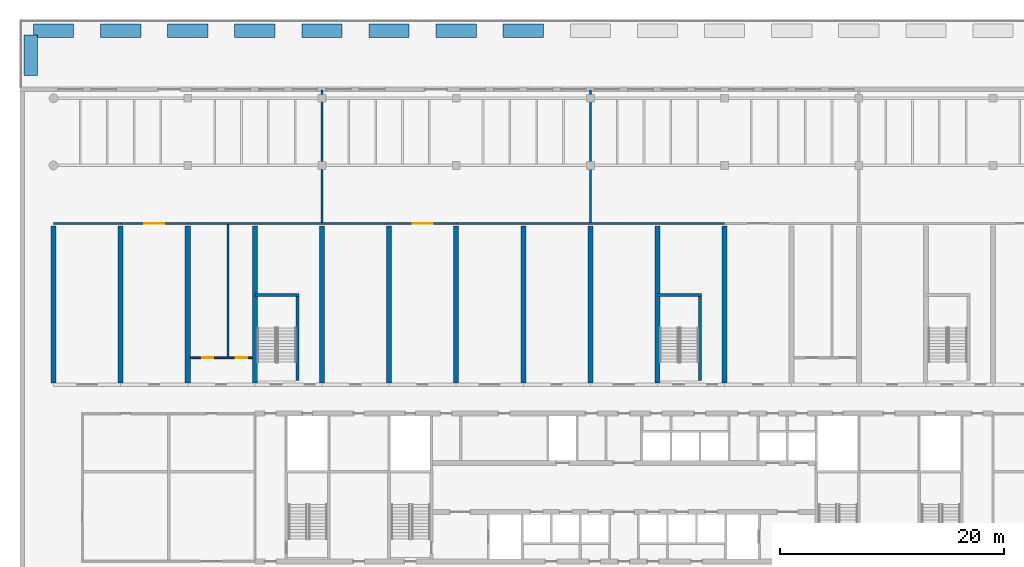
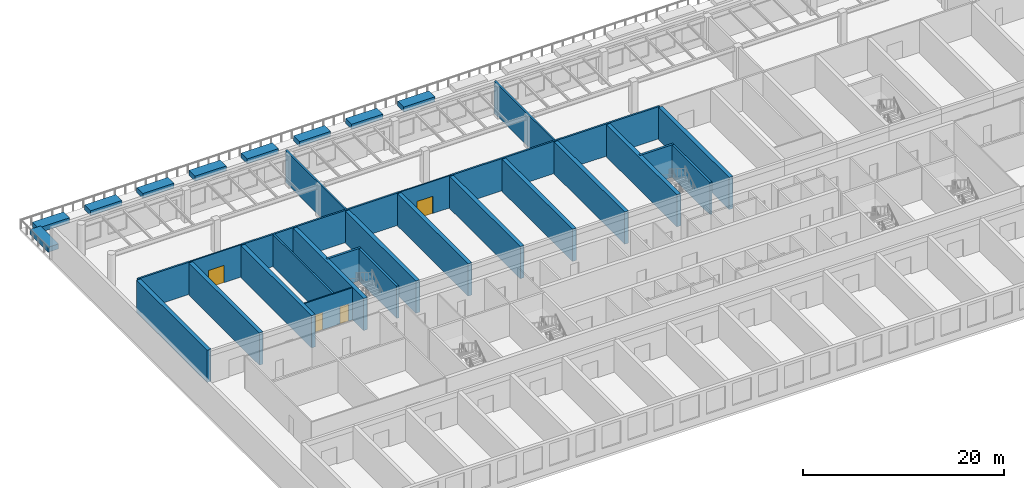
# One storey, part 8 of 16: 33 walls, 4 doors, 4 openings.
"""IFC4 building model written with IfcOpenShell, lengths in metres."""

from ifc_helpers import new_model, si_unit, direction, frame, frame_2d, origin, place, context, subcontext, project, spatial, polyline, rectangle, outline, extrude, source, transform, mapped, material, layer, layer_set, type_object, element, fill, save


model = new_model("IFC4")

# Units and contexts
model_context = context("Model", 3, precision=1e-05, world=origin(), true_north=direction((0.0, 1.0)))
body_context = subcontext(model_context, "Body", "Model", "MODEL_VIEW")
ifc_project = project(units=[si_unit("LENGTHUNIT", "METRE"), si_unit("AREAUNIT", "SQUARE_METRE"), si_unit("VOLUMEUNIT", "CUBIC_METRE"), si_unit("PLANEANGLEUNIT", "RADIAN"), si_unit("MASSUNIT", "GRAM", prefix="KILO")], contexts=[model_context])

# Site, building, storey
site_placement = place(None, origin())
site = spatial("IfcSite", under=ifc_project, at=site_placement, CompositionType="ELEMENT")
building_placement = place(site_placement, origin())
building = spatial("IfcBuilding", under=site, at=building_placement, Name="Poui Terraces", CompositionType="ELEMENT")
storey_placement = place(building_placement, frame((0.0, 0.0, 15.0)))
storey = spatial("IfcBuildingStorey", under=building, at=storey_placement, Name="L03", CompositionType="ELEMENT", Elevation=15.0)

# Walls
ifc_material_1 = material(Name="Fire-rated masonry wall", Category="masonry")
ifc_layer_1 = layer(ifc_material_1, 0.199951171875)
ifc_layer_set_1 = layer_set([ifc_layer_1], Name="Fire-rated masonry wall")
wall_type_1 = type_object("IfcWallType", Name="COMPARTMENT WALL 200", PredefinedType="PARTITIONING", material=ifc_layer_set_1)
wall_1_placement = place(storey_placement, frame((0.0, 44.800048828125, 0.0), z_axis=(0.0, 0.0, 1.0), x_axis=(1.0, 0.0, 0.0)))
element("IfcWall", 1, at=wall_1_placement, inside=storey, type_object=wall_type_1, Name="COMPARTMENT WALL 200", PredefinedType="PARTITIONING", context=body_context, shape_type="SweptSolid", body=[
    extrude(rectangle(XDim=6.0, YDim=0.199951171875, at=frame_2d((3.0, 0.0))), origin(), (0.0, 0.0, 1.0), 3.919921875),
])
wall_2_placement = place(storey_placement, frame((12.0, 44.800048828125, 0.0), z_axis=(0.0, 0.0, 1.0), x_axis=(1.0, 0.0, 0.0)))
element("IfcWall", 2, at=wall_2_placement, inside=storey, type_object=wall_type_1, Name="COMPARTMENT WALL 200", PredefinedType="PARTITIONING", context=body_context, shape_type="SweptSolid", body=[
    extrude(rectangle(XDim=18.0, YDim=0.199951171875, at=frame_2d((9.0, 0.0))), origin(), (0.0, 0.0, 1.0), 3.919921875),
])
wall_3_placement = place(storey_placement, frame((36.0, 44.800048828125, 0.0), z_axis=(0.0, 0.0, 1.0), x_axis=(1.0, 0.0, 0.0)))
element("IfcWall", 3, at=wall_3_placement, inside=storey, type_object=wall_type_1, Name="COMPARTMENT WALL 200", PredefinedType="PARTITIONING", context=body_context, shape_type="SweptSolid", body=[
    extrude(rectangle(XDim=24.0, YDim=0.199951171875, at=frame_2d((12.0, 0.0))), origin(), (0.0, 0.0, 1.0), 3.919921875),
])
wall_4_placement = place(storey_placement, frame((15.60009765625, 32.875, 0.0), z_axis=(0.0, 0.0, 1.0), x_axis=(0.0, 1.0, 0.0)))
element("IfcWall", 4, at=wall_4_placement, inside=storey, type_object=wall_type_1, Name="COMPARTMENT WALL 200", PredefinedType="PARTITIONING", context=body_context, shape_type="SweptSolid", body=[
    extrude(rectangle(XDim=11.824951171875, YDim=0.199951171875, at=frame_2d((5.91259765625, 0.0))), origin(), (0.0, 0.0, 1.0), 3.919921875),
])
for number, where, z_axis, x_axis, name in (
    (5, (24.0, 44.89990234375, 0.0), (0.0, 0.0, 1.0), (0.0, 1.0, 0.0), "COMPARTMENT WALL 200"),
    (6, (48.0, 44.89990234375, 0.0), (0.0, 0.0, 1.0), (0.0, 1.0, 0.0), "COMPARTMENT WALL 200"),
):
    element("IfcWall", number, at=place(storey_placement, frame(where, z_axis=z_axis, x_axis=x_axis)), inside=storey, type_object=wall_type_1, Name=name, PredefinedType="PARTITIONING", context=body_context, shape_type="SweptSolid", body=[
        extrude(rectangle(XDim=11.840087890625, YDim=0.199951171875, at=frame_2d((5.919921875, 0.0))), origin(), (0.0, 0.0, 1.0), 3.919921875),
    ])

# Wall, openings, doors
ifc_material_2 = material(Name="Fire-rated plasterboard wall")
ifc_layer_2 = layer(ifc_material_2, 0.14990234375)
ifc_layer_set_2 = layer_set([ifc_layer_2], Name="Fire-rated plasterboard wall")
wall_type_2 = type_object("IfcWallType", Name="CORRIDOR WALL 150", PredefinedType="PARTITIONING", material=ifc_layer_set_2)
wall_5_placement = place(storey_placement, frame((12.235107421875, 32.800048828125, 0.0), z_axis=(0.0, 0.0, 1.0), x_axis=(1.0, 0.0, 0.0)))
wall_5 = element("IfcWall", 7, at=wall_5_placement, inside=storey, type_object=wall_type_2, Name="CORRIDOR WALL 150", PredefinedType="PARTITIONING", context=body_context, shape_type="SweptSolid", body=[
    extrude(rectangle(XDim=5.52978515625, YDim=0.14990234375, at=frame_2d((2.764892578125, 0.0))), origin(), (0.0, 0.0, 1.0), 3.919921875),
])
opening_1_placement = place(wall_5_placement, frame((1.06494140625, 0.0, 0.0)))
opening_1 = element("IfcOpeningElement", 8, at=opening_1_placement, cuts=wall_5, Name="Opening D100", PredefinedType="OPENING", context=body_context, shape_type="SweptSolid", body=[
    extrude(rectangle(XDim=1.0, YDim=2.10009765625, at=frame_2d((0.5, 1.050048828125))), frame((0.0, 0.0849609375, 0.0), z_axis=(0.0, -1.0, 0.0), x_axis=(1.0, 0.0, 0.0)), (0.0, 0.0, 1.0), 0.169921875),
])
opening_2_placement = place(wall_5_placement, frame((4.06494140625, 0.0, 0.0)))
opening_2 = element("IfcOpeningElement", 9, at=opening_2_placement, cuts=wall_5, Name="Opening D100", PredefinedType="OPENING", context=body_context, shape_type="SweptSolid", body=[
    extrude(rectangle(XDim=1.0, YDim=2.10009765625, at=frame_2d((0.5, 1.050048828125))), frame((0.0, 0.0849609375, 0.0), z_axis=(0.0, -1.0, 0.0), x_axis=(1.0, 0.0, 0.0)), (0.0, 0.0, 1.0), 0.169921875),
])
ifc_material_3 = material(Name="Solid core timber door", Category="wood")
door_type_1 = type_object("IfcDoorType", Name="ACCESSIBLE INTERNAL DOOR 1000 X 2100", OperationType="NOTDEFINED", PredefinedType="DOOR", material=ifc_material_3)
door_1_placement = place(opening_1_placement, frame((1.0, 0.0, 0.0), z_axis=(0.0, 0.0, 1.0), x_axis=(-1.0, 0.0, 0.0)))
door_1 = element("IfcDoor", 10, at=door_1_placement, inside=storey, type_object=door_type_1, Name="ACCESSIBLE INTERNAL DOOR 074", OperationType="SINGLE_SWING_RIGHT", OverallHeight=2.10009765625, OverallWidth=1.0, PredefinedType="DOOR", context=body_context, shape_type="SweptSolid", body=[
    extrude(rectangle(XDim=1.0, YDim=2.10009765625, at=frame_2d((0.5, 1.050048828125))), frame((0.0, 0.02490234375, 0.0), z_axis=(0.0, -1.0, 0.0), x_axis=(1.0, 0.0, 0.0)), (0.0, 0.0, 1.0), 0.050048828125),
])
fill(opening_1, door_1)
door_2_placement = place(opening_2_placement, frame((1.0, 0.0, 0.0), z_axis=(0.0, 0.0, 1.0), x_axis=(-1.0, 0.0, 0.0)))
door_2 = element("IfcDoor", 11, at=door_2_placement, inside=storey, type_object=door_type_1, Name="ACCESSIBLE INTERNAL DOOR 075", OperationType="SINGLE_SWING_LEFT", OverallHeight=2.10009765625, OverallWidth=1.0, PredefinedType="DOOR", context=body_context, shape_type="SweptSolid", body=[
    extrude(rectangle(XDim=1.0, YDim=2.10009765625, at=frame_2d((0.5, 1.050048828125))), frame((0.0, 0.02490234375, 0.0), z_axis=(0.0, -1.0, 0.0), x_axis=(1.0, 0.0, 0.0)), (0.0, 0.0, 1.0), 0.050048828125),
])
fill(opening_2, door_2)

# Wall, opening, door
wall_6_placement = place(storey_placement, frame((6.0, 44.800048828125, 0.0), z_axis=(0.0, 0.0, 1.0), x_axis=(1.0, 0.0, 0.0)))
wall_6 = element("IfcWall", 12, at=wall_6_placement, inside=storey, type_object=wall_type_2, Name="CORRIDOR WALL 150", PredefinedType="PARTITIONING", context=body_context, shape_type="SweptSolid", body=[
    extrude(rectangle(XDim=6.0, YDim=0.14990234375, at=frame_2d((3.0, 0.0))), origin(), (0.0, 0.0, 1.0), 3.919921875),
])
opening_3_placement = place(wall_6_placement, frame((2.10009765625, 0.0, 0.0)))
opening_3 = element("IfcOpeningElement", 13, at=opening_3_placement, cuts=wall_6, Name="Opening DD180", PredefinedType="OPENING", context=body_context, shape_type="SweptSolid", body=[
    extrude(rectangle(XDim=1.800048828125, YDim=2.10009765625, at=frame_2d((0.89990234375, 1.050048828125))), frame((0.0, 0.0849609375, 0.0), z_axis=(0.0, -1.0, 0.0), x_axis=(1.0, 0.0, 0.0)), (0.0, 0.0, 1.0), 0.169921875),
])
ifc_material_4 = material(Name="Steel fire door", Category="steel")
door_type_2 = type_object("IfcDoorType", Name="DOUBLE INTERNAL DOOR 1800 X 2100", OperationType="DOUBLE_DOOR_SINGLE_SWING", PredefinedType="DOOR", material=ifc_material_4)
door_3_placement = place(opening_3_placement, frame((1.800048828125, 0.0, 0.0), z_axis=(0.0, 0.0, 1.0), x_axis=(-1.0, 0.0, 0.0)))
door_3 = element("IfcDoor", 14, at=door_3_placement, inside=storey, type_object=door_type_2, Name="DOUBLE INTERNAL DOOR 078", OperationType="DOUBLE_DOOR_SINGLE_SWING", OverallHeight=2.10009765625, OverallWidth=1.800048828125, PredefinedType="DOOR", context=body_context, shape_type="SweptSolid", body=[
    extrude(rectangle(XDim=1.800048828125, YDim=2.10009765625, at=frame_2d((0.89990234375, 1.050048828125))), frame((0.0, 0.02490234375, 0.0), z_axis=(0.0, -1.0, 0.0), x_axis=(1.0, 0.0, 0.0)), (0.0, 0.0, 1.0), 0.050048828125),
])
fill(opening_3, door_3)

wall_7_placement = place(storey_placement, frame((30.0, 44.800048828125, 0.0), z_axis=(0.0, 0.0, 1.0), x_axis=(1.0, 0.0, 0.0)))
wall_7 = element("IfcWall", 15, at=wall_7_placement, inside=storey, type_object=wall_type_2, Name="CORRIDOR WALL 150", PredefinedType="PARTITIONING", context=body_context, shape_type="SweptSolid", body=[
    extrude(rectangle(XDim=6.0, YDim=0.14990234375, at=frame_2d((3.0, 0.0))), origin(), (0.0, 0.0, 1.0), 3.919921875),
])
opening_4_placement = place(wall_7_placement, frame((2.10009765625, 0.0, 0.0)))
opening_4 = element("IfcOpeningElement", 16, at=opening_4_placement, cuts=wall_7, Name="Opening DD180", PredefinedType="OPENING", context=body_context, shape_type="SweptSolid", body=[
    extrude(rectangle(XDim=1.800048828125, YDim=2.10009765625, at=frame_2d((0.89990234375, 1.050048828125))), frame((0.0, 0.0849609375, 0.0), z_axis=(0.0, -1.0, 0.0), x_axis=(1.0, 0.0, 0.0)), (0.0, 0.0, 1.0), 0.169921875),
])
door_4_placement = place(opening_4_placement, frame((1.800048828125, 0.0, 0.0), z_axis=(0.0, 0.0, 1.0), x_axis=(-1.0, 0.0, 0.0)))
door_4 = element("IfcDoor", 17, at=door_4_placement, inside=storey, type_object=door_type_2, Name="DOUBLE INTERNAL DOOR 079", OperationType="DOUBLE_DOOR_SINGLE_SWING", OverallHeight=2.10009765625, OverallWidth=1.800048828125, PredefinedType="DOOR", context=body_context, shape_type="SweptSolid", body=[
    extrude(rectangle(XDim=1.800048828125, YDim=2.10009765625, at=frame_2d((0.89990234375, 1.050048828125))), frame((0.0, 0.02490234375, 0.0), z_axis=(0.0, -1.0, 0.0), x_axis=(1.0, 0.0, 0.0)), (0.0, 0.0, 1.0), 0.050048828125),
])
fill(opening_4, door_4)

# Walls
ifc_material_5 = material(Name="Concrete 80 MPa", Category="concrete")
ifc_layer_3 = layer(ifc_material_5, 0.449951171875)
ifc_layer_set_3 = layer_set([ifc_layer_3], Name="Concrete 80 MPa")
wall_type_3 = type_object("IfcWallType", Name="CROSS WALL 450 80MPa", PredefinedType="SHEAR", material=ifc_layer_set_3)
for number, where, z_axis, x_axis, name in (
    (18, (0.0, 30.550048828125, 0.0), (0.0, 0.0, 1.0), (0.0, 1.0, 0.0), "CROSS WALL LINE 1 NORTH"),
    (19, (6.0, 30.550048828125, 0.0), (0.0, 0.0, 1.0), (0.0, 1.0, 0.0), "CROSS WALL LINE 2 NORTH"),
    (20, (12.0, 30.550048828125, 0.0), (0.0, 0.0, 1.0), (0.0, 1.0, 0.0), "CROSS WALL LINE 3 NORTH"),
    (21, (18.0, 30.550048828125, 0.0), (0.0, 0.0, 1.0), (0.0, 1.0, 0.0), "CROSS WALL LINE 4 NORTH"),
    (22, (24.0, 30.550048828125, 0.0), (0.0, 0.0, 1.0), (0.0, 1.0, 0.0), "CROSS WALL LINE 5 NORTH"),
    (23, (30.0, 30.550048828125, 0.0), (0.0, 0.0, 1.0), (0.0, 1.0, 0.0), "CROSS WALL LINE 6 NORTH"),
    (24, (36.0, 30.550048828125, 0.0), (0.0, 0.0, 1.0), (0.0, 1.0, 0.0), "CROSS WALL LINE 7 NORTH"),
    (25, (42.0, 30.550048828125, 0.0), (0.0, 0.0, 1.0), (0.0, 1.0, 0.0), "CROSS WALL LINE 8 NORTH"),
    (26, (48.0, 30.550048828125, 0.0), (0.0, 0.0, 1.0), (0.0, 1.0, 0.0), "CROSS WALL LINE 9 NORTH"),
    (27, (54.0, 30.550048828125, 0.0), (0.0, 0.0, 1.0), (0.0, 1.0, 0.0), "CROSS WALL LINE 10 NORTH"),
    (28, (60.0, 30.550048828125, 0.0), (0.0, 0.0, 1.0), (0.0, 1.0, 0.0), "CROSS WALL LINE 11 NORTH"),
):
    element("IfcWall", number, at=place(storey_placement, frame(where, z_axis=z_axis, x_axis=x_axis)), inside=storey, type_object=wall_type_3, Name=name, PredefinedType="SHEAR", context=body_context, shape_type="SweptSolid", body=[
        extrude(rectangle(XDim=14.050048828125, YDim=0.449951171875, at=frame_2d((7.02490234375, 0.0))), origin(), (0.0, 0.0, 1.0), 3.919921875),
    ])
ifc_layer_4 = layer(ifc_material_5, 0.25)
ifc_layer_set_4 = layer_set([ifc_layer_4], Name="Concrete 80 MPa")
wall_type_4 = type_object("IfcWallType", Name="STAIR CORE WALL 250 80 MPA", PredefinedType="SOLIDWALL", material=ifc_layer_set_4)
wall_8_placement = place(storey_placement, frame((21.800048828125, 30.75, 0.0), z_axis=(0.0, 0.0, 1.0), x_axis=(0.0, 1.0, 0.0)))
element("IfcWall", 29, at=wall_8_placement, inside=storey, type_object=wall_type_4, Name="STAIR CORE WALL", PredefinedType="SOLIDWALL", context=body_context, shape_type="SweptSolid", body=[
    extrude(rectangle(XDim=7.52490234375, YDim=0.25, at=frame_2d((3.762451171875, 0.0))), origin(), (0.0, 0.0, 1.0), 3.919921875),
])
wall_9_placement = place(storey_placement, frame((18.0, 38.39990234375, 0.0), z_axis=(0.0, 0.0, 1.0), x_axis=(1.0, 0.0, 0.0)))
element("IfcWall", 30, at=wall_9_placement, inside=storey, type_object=wall_type_4, Name="STAIR CORE WALL", PredefinedType="SOLIDWALL", context=body_context, shape_type="SweptSolid", body=[
    extrude(rectangle(XDim=3.925048828125, YDim=0.25, at=frame_2d((1.96240234375, 0.0))), origin(), (0.0, 0.0, 1.0), 3.919921875),
])
wall_10_placement = place(storey_placement, frame((57.800048828125, 30.75, 0.0), z_axis=(0.0, 0.0, 1.0), x_axis=(0.0, 1.0, 0.0)))
element("IfcWall", 31, at=wall_10_placement, inside=storey, type_object=wall_type_4, Name="STAIR CORE WALL", PredefinedType="SOLIDWALL", context=body_context, shape_type="SweptSolid", body=[
    extrude(rectangle(XDim=7.52490234375, YDim=0.25, at=frame_2d((3.762451171875, 0.0))), origin(), (0.0, 0.0, 1.0), 3.919921875),
])
wall_11_placement = place(storey_placement, frame((54.0, 38.39990234375, 0.0), z_axis=(0.0, 0.0, 1.0), x_axis=(1.0, 0.0, 0.0)))
element("IfcWall", 32, at=wall_11_placement, inside=storey, type_object=wall_type_4, Name="STAIR CORE WALL", PredefinedType="SOLIDWALL", context=body_context, shape_type="SweptSolid", body=[
    extrude(rectangle(XDim=3.925048828125, YDim=0.25, at=frame_2d((1.96240234375, 0.0))), origin(), (0.0, 0.0, 1.0), 3.919921875),
])
ifc_material_6 = material(Name="Precast concrete 40 MPa", Category="concrete")
ifc_layer_5 = layer(ifc_material_6, 1.199951171875)
ifc_layer_set_5 = layer_set([ifc_layer_5], Name="Precast concrete 40 MPa")
wall_type_5 = type_object("IfcWallType", Name="PLANTER 600", PredefinedType="USERDEFINED", material=ifc_layer_set_5)
shared_shape_1 = source(origin(), body_context, "Body", "SweptSolid", [
    extrude(outline(polyline([(0.0, 0.0), (3.60009765625, 0.0), (3.60009765625, 1.2001953125), (0.0, 1.2001953125), (0.0, 0.0)])), origin(), (0.0, 0.0, 1.0), 0.60009765625),
])
for number, where, name in (
    (33, (-1.800048828125, 61.419921875, 0.0), "PLANTER"),
    (34, (4.199951171875, 61.419921875, 0.0), "PLANTER"),
    (35, (10.199951171875, 61.419921875, 0.0), "PLANTER"),
    (36, (16.199951171875, 61.419921875, 0.0), "PLANTER"),
    (37, (22.199951171875, 61.419921875, 0.0), "PLANTER"),
    (38, (28.199951171875, 61.419921875, 0.0), "PLANTER"),
    (39, (34.199951171875, 61.419921875, 0.0), "PLANTER"),
    (40, (40.199951171875, 61.419921875, 0.0), "PLANTER"),
):
    element("IfcWall", number, at=place(storey_placement, frame(where)), inside=storey, type_object=wall_type_5, Name=name, ObjectType="PLANTER", PredefinedType="USERDEFINED", context=body_context, shape_type="MappedRepresentation", body=[
        mapped(shared_shape_1, transform((0.0, 0.0, 0.0))),
    ])
shared_shape_2 = source(origin(), body_context, "Body", "SweptSolid", [
    extrude(outline(polyline([(0.0, 0.0), (1.2001953125, 0.0), (1.2001953125, 3.599853515625), (0.0, 3.599853515625), (0.0, 0.0)])), origin(), (0.0, 0.0, 1.0), 0.60009765625),
])
wall_12_placement = place(storey_placement, frame((-2.6201171875, 58.0400390625, 0.0)))
element("IfcWall", 41, at=wall_12_placement, inside=storey, type_object=wall_type_5, Name="PLANTER", ObjectType="PLANTER", PredefinedType="USERDEFINED", context=body_context, shape_type="MappedRepresentation", body=[
    mapped(shared_shape_2, transform((0.0, 0.0, 0.0))),
])

save(model, "model.ifc")
